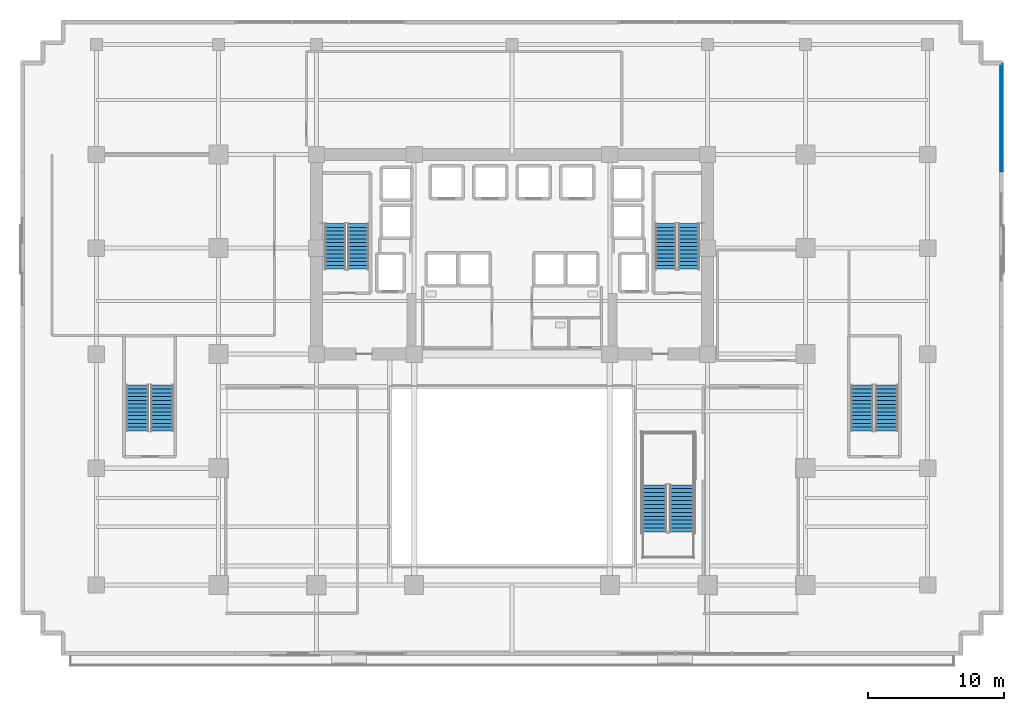
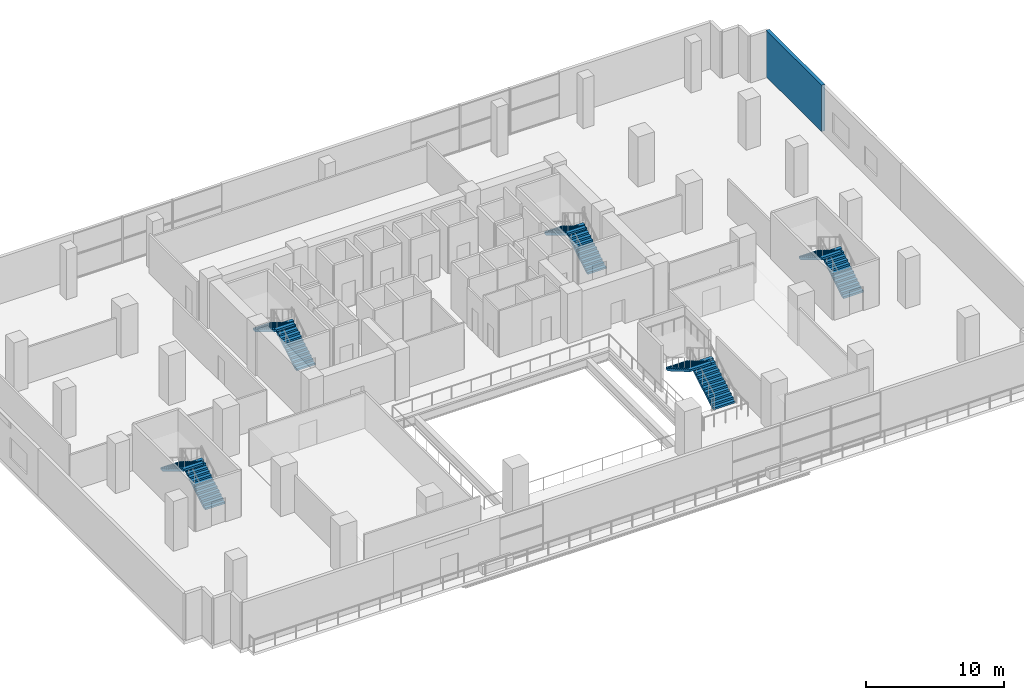
# One storey, part 16 of 23: 10 stair flights, 1 wall, 5 elements without a shape of their own.
"""IFC4 building model written with IfcOpenShell, lengths in metres."""

from ifc_helpers import new_model, si_unit, direction, frame, frame_2d, origin, place, context, subcontext, project, spatial, polyline, rectangle, outline, extrude, material, layer, layer_set, type_object, element, aggregate, save


model = new_model("IFC4")

# Units and contexts
model_context = context("Model", 3, precision=1e-05, world=origin(), true_north=direction((0.0, 1.0)))
body_context = subcontext(model_context, "Body", "Model", "MODEL_VIEW")
ifc_project = project(units=[si_unit("LENGTHUNIT", "METRE"), si_unit("AREAUNIT", "SQUARE_METRE"), si_unit("VOLUMEUNIT", "CUBIC_METRE"), si_unit("PLANEANGLEUNIT", "RADIAN"), si_unit("MASSUNIT", "GRAM", prefix="KILO")], contexts=[model_context])

# Site, building, storey
site_placement = place(None, origin())
site = spatial("IfcSite", under=ifc_project, at=site_placement, CompositionType="ELEMENT")
building_placement = place(site_placement, origin())
building = spatial("IfcBuilding", under=site, at=building_placement, Name="Zarnakvel Exchange Tower", CompositionType="ELEMENT")
storey_placement = place(building_placement, frame((0.0, 0.0, 13.800048828125)))
storey = spatial("IfcBuildingStorey", under=building, at=storey_placement, Name="L03", CompositionType="ELEMENT", Elevation=13.800048828125)

# Wall
ifc_material_1 = material(Name="Precast concrete C40/50", Category="concrete")
ifc_layer = layer(ifc_material_1, 0.280029296875)
ifc_layer_set = layer_set([ifc_layer], Name="Precast concrete C40/50")
wall_type = type_object("IfcWallType", Name="EW-01", PredefinedType="SOLIDWALL", material=ifc_layer_set)
wall_placement = place(storey_placement, frame((36.0400390625, 12.199951171875, 0.0), z_axis=(0.0, 0.0, 1.0), x_axis=(0.0, 1.0, 0.0)))
element("IfcWall", 1, at=wall_placement, inside=storey, type_object=wall_type, Name="L03 Exterior Precast Spandrel Wall EWC-L03-14 (EW-01)", PredefinedType="SOLIDWALL", context=body_context, shape_type="SweptSolid", body=[
    extrude(rectangle(XDim=8.0400390625, YDim=0.280029296875, at=frame_2d((4.02001953125, 0.0))), origin(), (0.0, 0.0, 1.0), 4.099853515625),
])

# Stair, stair flights
ifc_material_2 = material(Name="Concrete C40/50", Category="concrete")
stair_type_1 = type_object("IfcStairType", Name="STR-01", PredefinedType="HALF_TURN_STAIR", material=ifc_material_2)
stair_1_placement = place(storey_placement, origin())
stair_1 = element("IfcStair", 2, at=stair_1_placement, inside=storey, type_object=stair_type_1, Name="L03 Protected Core Exit Stair ST-01", PredefinedType="HALF_TURN_STAIR")
stair_flight_type_1 = type_object("IfcStairFlightType", Name="FLT-01", PredefinedType="STRAIGHT", material=ifc_material_2)
stair_flight_1_placement = place(storey_placement, frame((-11.31494140625, 5.050048828125, 0.0), z_axis=(0.0, 0.0, 1.0), x_axis=(0.0, 1.0, 0.0)))
stair_flight_1 = element("IfcStairFlight", 3, at=stair_flight_1_placement, type_object=stair_flight_type_1, Name="ST-01 flight 1", NumberOfRisers=13, NumberOfTreads=12, PredefinedType="STRAIGHT", RiserHeight=0.169230769, TreadLength=0.28, context=body_context, shape_type="SweptSolid", body=[
    extrude(outline(polyline([(0.0, 0.0), (0.0, 0.169189453125), (0.280029296875, 0.169189453125), (0.280029296875, 0.33837890625), (0.56005859375, 0.33837890625), (0.56005859375, 0.5078125), (0.840087890625, 0.5078125), (0.840087890625, 0.677001953125), (1.1201171875, 0.677001953125), (1.1201171875, 0.84619140625), (1.39990234375, 0.84619140625), (1.39990234375, 1.015380859375), (1.679931640625, 1.015380859375), (1.679931640625, 1.1845703125), (1.9599609375, 1.1845703125), (1.9599609375, 1.353759765625), (2.239990234375, 1.353759765625), (2.239990234375, 1.523193359375), (2.52001953125, 1.523193359375), (2.52001953125, 1.6923828125), (2.800048828125, 1.6923828125), (2.800048828125, 1.861572265625), (3.080078125, 1.861572265625), (3.080078125, 2.03076171875), (3.360107421875, 2.03076171875), (3.360107421875, 2.199951171875), (3.360107421875, 1.855712890625), (0.289794921875, 0.0), (0.0, 0.0)])), frame((0.0, 0.77490234375, 0.0), z_axis=(0.0, -1.0, 0.0), x_axis=(1.0, 0.0, 0.0)), (0.0, 0.0, 1.0), 1.550048828125),
])
stair_flight_2_placement = place(storey_placement, frame((-13.02490234375, 8.409912109375, 2.199951171875), z_axis=(0.0, 0.0, 1.0), x_axis=(0.0, -1.0, 0.0)))
stair_flight_2 = element("IfcStairFlight", 4, at=stair_flight_2_placement, type_object=stair_flight_type_1, Name="ST-01 flight 2", NumberOfRisers=13, NumberOfTreads=12, PredefinedType="STRAIGHT", RiserHeight=0.169230769, TreadLength=0.28, context=body_context, shape_type="SweptSolid", body=[
    extrude(outline(polyline([(0.0, 0.0), (0.0, 0.169189453125), (0.280029296875, 0.169189453125), (0.280029296875, 0.33837890625), (0.56005859375, 0.33837890625), (0.56005859375, 0.5078125), (0.840087890625, 0.5078125), (0.840087890625, 0.677001953125), (1.1201171875, 0.677001953125), (1.1201171875, 0.84619140625), (1.39990234375, 0.84619140625), (1.39990234375, 1.015380859375), (1.679931640625, 1.015380859375), (1.679931640625, 1.1845703125), (1.9599609375, 1.1845703125), (1.9599609375, 1.353759765625), (2.239990234375, 1.353759765625), (2.239990234375, 1.523193359375), (2.52001953125, 1.523193359375), (2.52001953125, 1.6923828125), (2.800048828125, 1.6923828125), (2.800048828125, 1.861572265625), (3.080078125, 1.861572265625), (3.080078125, 2.03076171875), (3.360107421875, 2.03076171875), (3.360107421875, 2.199951171875), (3.360107421875, 1.855712890625), (0.289794921875, 0.0), (0.0, 0.0)])), frame((0.0, 0.77490234375, 0.0), z_axis=(0.0, -1.0, 0.0), x_axis=(1.0, 0.0, 0.0)), (0.0, 0.0, 1.0), 1.550048828125),
])
aggregate(stair_1, [stair_flight_1, stair_flight_2])

stair_2_placement = place(storey_placement, origin())
stair_2 = element("IfcStair", 5, at=stair_2_placement, inside=storey, type_object=stair_type_1, Name="L03 Protected Core Exit Stair ST-02", PredefinedType="HALF_TURN_STAIR")
stair_flight_3_placement = place(storey_placement, frame((13.02490234375, 5.050048828125, 0.0), z_axis=(0.0, 0.0, 1.0), x_axis=(0.0, 1.0, 0.0)))
stair_flight_3 = element("IfcStairFlight", 6, at=stair_flight_3_placement, type_object=stair_flight_type_1, Name="ST-02 flight 1", NumberOfRisers=13, NumberOfTreads=12, PredefinedType="STRAIGHT", RiserHeight=0.169230769, TreadLength=0.28, context=body_context, shape_type="SweptSolid", body=[
    extrude(outline(polyline([(0.0, 0.0), (0.0, 0.169189453125), (0.280029296875, 0.169189453125), (0.280029296875, 0.33837890625), (0.56005859375, 0.33837890625), (0.56005859375, 0.5078125), (0.840087890625, 0.5078125), (0.840087890625, 0.677001953125), (1.1201171875, 0.677001953125), (1.1201171875, 0.84619140625), (1.39990234375, 0.84619140625), (1.39990234375, 1.015380859375), (1.679931640625, 1.015380859375), (1.679931640625, 1.1845703125), (1.9599609375, 1.1845703125), (1.9599609375, 1.353759765625), (2.239990234375, 1.353759765625), (2.239990234375, 1.523193359375), (2.52001953125, 1.523193359375), (2.52001953125, 1.6923828125), (2.800048828125, 1.6923828125), (2.800048828125, 1.861572265625), (3.080078125, 1.861572265625), (3.080078125, 2.03076171875), (3.360107421875, 2.03076171875), (3.360107421875, 2.199951171875), (3.360107421875, 1.855712890625), (0.289794921875, 0.0), (0.0, 0.0)])), frame((0.0, 0.77490234375, 0.0), z_axis=(0.0, -1.0, 0.0), x_axis=(1.0, 0.0, 0.0)), (0.0, 0.0, 1.0), 1.550048828125),
])
stair_flight_4_placement = place(storey_placement, frame((11.31494140625, 8.409912109375, 2.199951171875), z_axis=(0.0, 0.0, 1.0), x_axis=(0.0, -1.0, 0.0)))
stair_flight_4 = element("IfcStairFlight", 7, at=stair_flight_4_placement, type_object=stair_flight_type_1, Name="ST-02 flight 2", NumberOfRisers=13, NumberOfTreads=12, PredefinedType="STRAIGHT", RiserHeight=0.169230769, TreadLength=0.28, context=body_context, shape_type="SweptSolid", body=[
    extrude(outline(polyline([(0.0, 0.0), (0.0, 0.169189453125), (0.280029296875, 0.169189453125), (0.280029296875, 0.33837890625), (0.56005859375, 0.33837890625), (0.56005859375, 0.5078125), (0.840087890625, 0.5078125), (0.840087890625, 0.677001953125), (1.1201171875, 0.677001953125), (1.1201171875, 0.84619140625), (1.39990234375, 0.84619140625), (1.39990234375, 1.015380859375), (1.679931640625, 1.015380859375), (1.679931640625, 1.1845703125), (1.9599609375, 1.1845703125), (1.9599609375, 1.353759765625), (2.239990234375, 1.353759765625), (2.239990234375, 1.523193359375), (2.52001953125, 1.523193359375), (2.52001953125, 1.6923828125), (2.800048828125, 1.6923828125), (2.800048828125, 1.861572265625), (3.080078125, 1.861572265625), (3.080078125, 2.03076171875), (3.360107421875, 2.03076171875), (3.360107421875, 2.199951171875), (3.360107421875, 1.855712890625), (0.289794921875, 0.0), (0.0, 0.0)])), frame((0.0, 0.77490234375, 0.0), z_axis=(0.0, -1.0, 0.0), x_axis=(1.0, 0.0, 0.0)), (0.0, 0.0, 1.0), 1.550048828125),
])
aggregate(stair_2, [stair_flight_3, stair_flight_4])

stair_type_2 = type_object("IfcStairType", Name="STR-02", PredefinedType="HALF_TURN_STAIR", material=ifc_material_2)
stair_3_placement = place(storey_placement, origin())
stair_3 = element("IfcStair", 8, at=stair_3_placement, inside=storey, type_object=stair_type_2, Name="L03 Podium West Exit Stair ST-03", PredefinedType="HALF_TURN_STAIR")
stair_flight_type_2 = type_object("IfcStairFlightType", Name="FLT-02", PredefinedType="STRAIGHT", material=ifc_material_2)
stair_flight_5_placement = place(storey_placement, frame((-25.764892578125, -6.85009765625, 0.0), z_axis=(0.0, 0.0, 1.0), x_axis=(0.0, 1.0, 0.0)))
stair_flight_5 = element("IfcStairFlight", 9, at=stair_flight_5_placement, type_object=stair_flight_type_2, Name="ST-03 flight 1", NumberOfRisers=13, NumberOfTreads=12, PredefinedType="STRAIGHT", RiserHeight=0.169230769, TreadLength=0.28, context=body_context, shape_type="SweptSolid", body=[
    extrude(outline(polyline([(0.0, 0.0), (0.0, 0.169189453125), (0.280029296875, 0.169189453125), (0.280029296875, 0.33837890625), (0.56005859375, 0.33837890625), (0.56005859375, 0.5078125), (0.840087890625, 0.5078125), (0.840087890625, 0.677001953125), (1.1201171875, 0.677001953125), (1.1201171875, 0.84619140625), (1.39990234375, 0.84619140625), (1.39990234375, 1.015380859375), (1.679931640625, 1.015380859375), (1.679931640625, 1.1845703125), (1.9599609375, 1.1845703125), (1.9599609375, 1.353759765625), (2.239990234375, 1.353759765625), (2.239990234375, 1.523193359375), (2.52001953125, 1.523193359375), (2.52001953125, 1.6923828125), (2.800048828125, 1.6923828125), (2.800048828125, 1.861572265625), (3.080078125, 1.861572265625), (3.080078125, 2.03076171875), (3.360107421875, 2.03076171875), (3.360107421875, 2.199951171875), (3.360107421875, 1.855712890625), (0.289794921875, 0.0), (0.0, 0.0)])), frame((0.0, 0.824951171875, 0.0), z_axis=(0.0, -1.0, 0.0), x_axis=(1.0, 0.0, 0.0)), (0.0, 0.0, 1.0), 1.64990234375),
])
stair_flight_6_placement = place(storey_placement, frame((-27.574951171875, -3.489990234375, 2.199951171875), z_axis=(0.0, 0.0, 1.0), x_axis=(0.0, -1.0, 0.0)))
stair_flight_6 = element("IfcStairFlight", 10, at=stair_flight_6_placement, type_object=stair_flight_type_2, Name="ST-03 flight 2", NumberOfRisers=13, NumberOfTreads=12, PredefinedType="STRAIGHT", RiserHeight=0.169230769, TreadLength=0.28, context=body_context, shape_type="SweptSolid", body=[
    extrude(outline(polyline([(0.0, 0.0), (0.0, 0.169189453125), (0.280029296875, 0.169189453125), (0.280029296875, 0.33837890625), (0.56005859375, 0.33837890625), (0.56005859375, 0.5078125), (0.840087890625, 0.5078125), (0.840087890625, 0.677001953125), (1.1201171875, 0.677001953125), (1.1201171875, 0.84619140625), (1.39990234375, 0.84619140625), (1.39990234375, 1.015380859375), (1.679931640625, 1.015380859375), (1.679931640625, 1.1845703125), (1.9599609375, 1.1845703125), (1.9599609375, 1.353759765625), (2.239990234375, 1.353759765625), (2.239990234375, 1.523193359375), (2.52001953125, 1.523193359375), (2.52001953125, 1.6923828125), (2.800048828125, 1.6923828125), (2.800048828125, 1.861572265625), (3.080078125, 1.861572265625), (3.080078125, 2.03076171875), (3.360107421875, 2.03076171875), (3.360107421875, 2.199951171875), (3.360107421875, 1.855712890625), (0.289794921875, 0.0), (0.0, 0.0)])), frame((0.0, 0.824951171875, 0.0), z_axis=(0.0, -1.0, 0.0), x_axis=(1.0, 0.0, 0.0)), (0.0, 0.0, 1.0), 1.64990234375),
])
aggregate(stair_3, [stair_flight_5, stair_flight_6])

stair_4_placement = place(storey_placement, origin())
stair_4 = element("IfcStair", 11, at=stair_4_placement, inside=storey, type_object=stair_type_2, Name="L03 Podium East Exit Stair ST-04", PredefinedType="HALF_TURN_STAIR")
stair_flight_7_placement = place(storey_placement, frame((27.574951171875, -6.85009765625, 0.0), z_axis=(0.0, 0.0, 1.0), x_axis=(0.0, 1.0, 0.0)))
stair_flight_7 = element("IfcStairFlight", 12, at=stair_flight_7_placement, type_object=stair_flight_type_2, Name="ST-04 flight 1", NumberOfRisers=13, NumberOfTreads=12, PredefinedType="STRAIGHT", RiserHeight=0.169230769, TreadLength=0.28, context=body_context, shape_type="SweptSolid", body=[
    extrude(outline(polyline([(0.0, 0.0), (0.0, 0.169189453125), (0.280029296875, 0.169189453125), (0.280029296875, 0.33837890625), (0.56005859375, 0.33837890625), (0.56005859375, 0.5078125), (0.840087890625, 0.5078125), (0.840087890625, 0.677001953125), (1.1201171875, 0.677001953125), (1.1201171875, 0.84619140625), (1.39990234375, 0.84619140625), (1.39990234375, 1.015380859375), (1.679931640625, 1.015380859375), (1.679931640625, 1.1845703125), (1.9599609375, 1.1845703125), (1.9599609375, 1.353759765625), (2.239990234375, 1.353759765625), (2.239990234375, 1.523193359375), (2.52001953125, 1.523193359375), (2.52001953125, 1.6923828125), (2.800048828125, 1.6923828125), (2.800048828125, 1.861572265625), (3.080078125, 1.861572265625), (3.080078125, 2.03076171875), (3.360107421875, 2.03076171875), (3.360107421875, 2.199951171875), (3.360107421875, 1.855712890625), (0.289794921875, 0.0), (0.0, 0.0)])), frame((0.0, 0.824951171875, 0.0), z_axis=(0.0, -1.0, 0.0), x_axis=(1.0, 0.0, 0.0)), (0.0, 0.0, 1.0), 1.64990234375),
])
stair_flight_8_placement = place(storey_placement, frame((25.764892578125, -3.489990234375, 2.199951171875), z_axis=(0.0, 0.0, 1.0), x_axis=(0.0, -1.0, 0.0)))
stair_flight_8 = element("IfcStairFlight", 13, at=stair_flight_8_placement, type_object=stair_flight_type_2, Name="ST-04 flight 2", NumberOfRisers=13, NumberOfTreads=12, PredefinedType="STRAIGHT", RiserHeight=0.169230769, TreadLength=0.28, context=body_context, shape_type="SweptSolid", body=[
    extrude(outline(polyline([(0.0, 0.0), (0.0, 0.169189453125), (0.280029296875, 0.169189453125), (0.280029296875, 0.33837890625), (0.56005859375, 0.33837890625), (0.56005859375, 0.5078125), (0.840087890625, 0.5078125), (0.840087890625, 0.677001953125), (1.1201171875, 0.677001953125), (1.1201171875, 0.84619140625), (1.39990234375, 0.84619140625), (1.39990234375, 1.015380859375), (1.679931640625, 1.015380859375), (1.679931640625, 1.1845703125), (1.9599609375, 1.1845703125), (1.9599609375, 1.353759765625), (2.239990234375, 1.353759765625), (2.239990234375, 1.523193359375), (2.52001953125, 1.523193359375), (2.52001953125, 1.6923828125), (2.800048828125, 1.6923828125), (2.800048828125, 1.861572265625), (3.080078125, 1.861572265625), (3.080078125, 2.03076171875), (3.360107421875, 2.03076171875), (3.360107421875, 2.199951171875), (3.360107421875, 1.855712890625), (0.289794921875, 0.0), (0.0, 0.0)])), frame((0.0, 0.824951171875, 0.0), z_axis=(0.0, -1.0, 0.0), x_axis=(1.0, 0.0, 0.0)), (0.0, 0.0, 1.0), 1.64990234375),
])
aggregate(stair_4, [stair_flight_7, stair_flight_8])

stair_type_3 = type_object("IfcStairType", Name="STR-04", PredefinedType="HALF_TURN_STAIR", material=ifc_material_2)
stair_5_placement = place(storey_placement, origin())
stair_5 = element("IfcStair", 14, at=stair_5_placement, inside=storey, type_object=stair_type_3, Name="L03 Exchange Concourse Atrium Feature Stair ST-06", PredefinedType="HALF_TURN_STAIR")
stair_flight_type_3 = type_object("IfcStairFlightType", Name="FLT-04", PredefinedType="STRAIGHT", material=ifc_material_2)
stair_flight_9_placement = place(storey_placement, frame((12.5, -14.300048828125, 0.0), z_axis=(0.0, 0.0, 1.0), x_axis=(0.0, 1.0, 0.0)))
stair_flight_9 = element("IfcStairFlight", 15, at=stair_flight_9_placement, type_object=stair_flight_type_3, Name="ST-06 flight 1", NumberOfRisers=13, NumberOfTreads=12, PredefinedType="STRAIGHT", RiserHeight=0.169230769, TreadLength=0.29, context=body_context, shape_type="SweptSolid", body=[
    extrude(outline(polyline([(0.0, 0.0), (0.0, 0.169189453125), (0.2900390625, 0.169189453125), (0.2900390625, 0.33837890625), (0.580078125, 0.33837890625), (0.580078125, 0.5078125), (0.8701171875, 0.5078125), (0.8701171875, 0.677001953125), (1.159912109375, 0.677001953125), (1.159912109375, 0.84619140625), (1.449951171875, 0.84619140625), (1.449951171875, 1.015380859375), (1.739990234375, 1.015380859375), (1.739990234375, 1.1845703125), (2.030029296875, 1.1845703125), (2.030029296875, 1.353759765625), (2.320068359375, 1.353759765625), (2.320068359375, 1.523193359375), (2.610107421875, 1.523193359375), (2.610107421875, 1.6923828125), (2.89990234375, 1.6923828125), (2.89990234375, 1.861572265625), (3.18994140625, 1.861572265625), (3.18994140625, 2.03076171875), (3.47998046875, 2.03076171875), (3.47998046875, 2.199951171875), (3.47998046875, 1.857177734375), (0.29736328125, 0.0), (0.0, 0.0)])), frame((0.0, 0.89990234375, 0.0), z_axis=(0.0, -1.0, 0.0), x_axis=(1.0, 0.0, 0.0)), (0.0, 0.0, 1.0), 1.800048828125),
])
stair_flight_10_placement = place(storey_placement, frame((10.5, -10.820068359375, 2.199951171875), z_axis=(0.0, 0.0, 1.0), x_axis=(0.0, -1.0, 0.0)))
stair_flight_10 = element("IfcStairFlight", 16, at=stair_flight_10_placement, type_object=stair_flight_type_3, Name="ST-06 flight 2", NumberOfRisers=13, NumberOfTreads=12, PredefinedType="STRAIGHT", RiserHeight=0.169230769, TreadLength=0.29, context=body_context, shape_type="SweptSolid", body=[
    extrude(outline(polyline([(0.0, 0.0), (0.0, 0.169189453125), (0.2900390625, 0.169189453125), (0.2900390625, 0.33837890625), (0.580078125, 0.33837890625), (0.580078125, 0.5078125), (0.8701171875, 0.5078125), (0.8701171875, 0.677001953125), (1.159912109375, 0.677001953125), (1.159912109375, 0.84619140625), (1.449951171875, 0.84619140625), (1.449951171875, 1.015380859375), (1.739990234375, 1.015380859375), (1.739990234375, 1.1845703125), (2.030029296875, 1.1845703125), (2.030029296875, 1.353759765625), (2.320068359375, 1.353759765625), (2.320068359375, 1.523193359375), (2.610107421875, 1.523193359375), (2.610107421875, 1.6923828125), (2.89990234375, 1.6923828125), (2.89990234375, 1.861572265625), (3.18994140625, 1.861572265625), (3.18994140625, 2.03076171875), (3.47998046875, 2.03076171875), (3.47998046875, 2.199951171875), (3.47998046875, 1.857177734375), (0.29736328125, 0.0), (0.0, 0.0)])), frame((0.0, 0.89990234375, 0.0), z_axis=(0.0, -1.0, 0.0), x_axis=(1.0, 0.0, 0.0)), (0.0, 0.0, 1.0), 1.800048828125),
])
aggregate(stair_5, [stair_flight_9, stair_flight_10])

save(model, "model.ifc")
